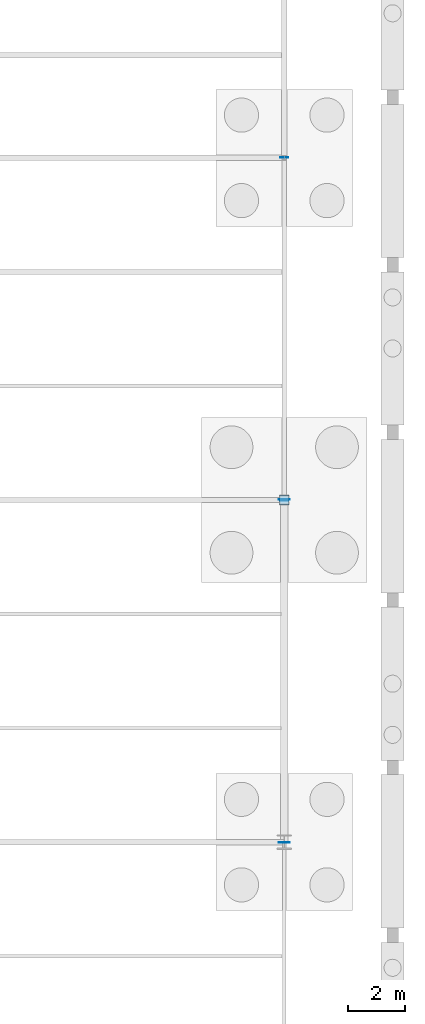
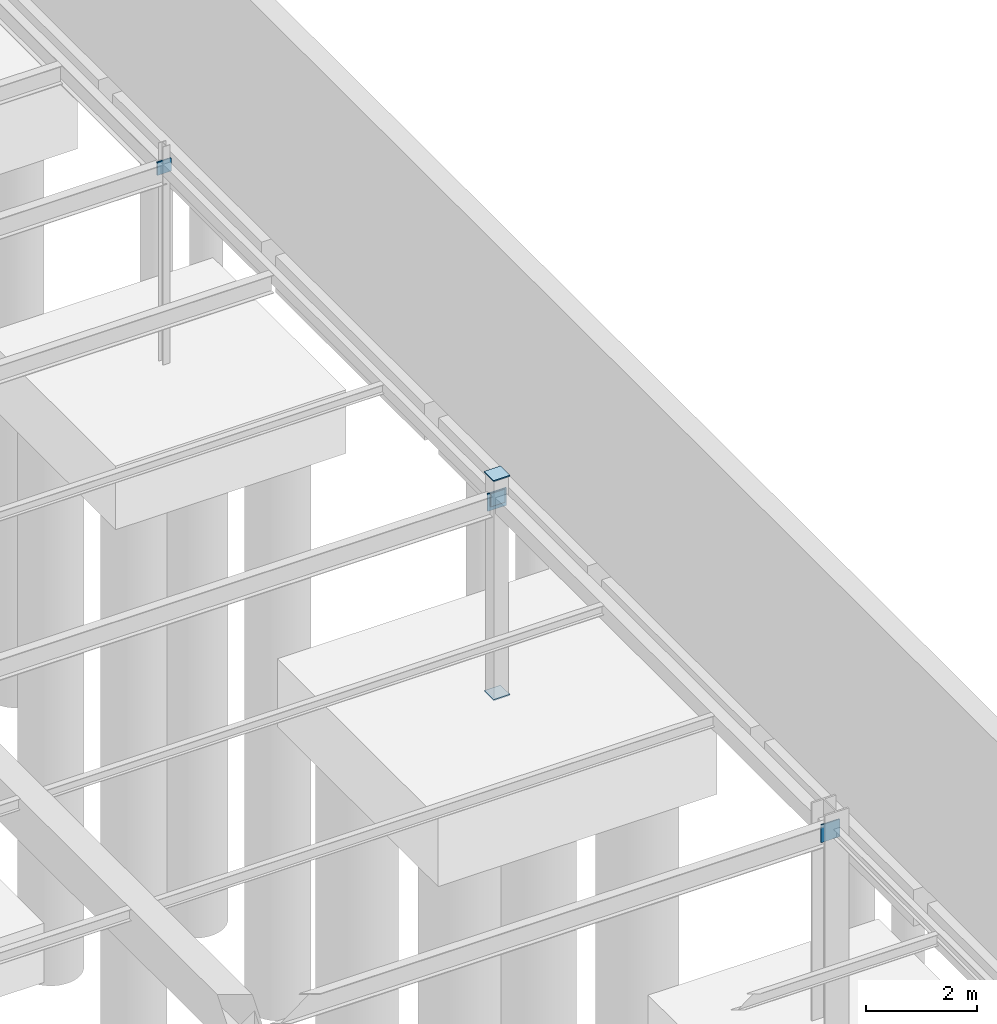
# One storey, part 110 of 136: 6 plates.
"""IFC4 building model written with IfcOpenShell, lengths in metres."""

from ifc_helpers import new_model, si_unit, direction, frame, origin, origin_2d, place, context, subcontext, project, spatial, rectangle, extrude, material, layer, layer_set, type_object, element, save


model = new_model("IFC4")

# Units and contexts
model_context = context("Model", 3, precision=1e-05, world=origin(), true_north=direction((0.0, 1.0)))
body_context = subcontext(model_context, "Body", "Model", "MODEL_VIEW")
ifc_project = project(units=[si_unit("LENGTHUNIT", "METRE"), si_unit("AREAUNIT", "SQUARE_METRE"), si_unit("VOLUMEUNIT", "CUBIC_METRE"), si_unit("PLANEANGLEUNIT", "RADIAN"), si_unit("MASSUNIT", "GRAM", prefix="KILO")], contexts=[model_context])

# Site, building, storey
site_placement = place(None, origin())
site = spatial("IfcSite", under=ifc_project, at=site_placement, CompositionType="ELEMENT")
building_placement = place(site_placement, origin())
building = spatial("IfcBuilding", under=site, at=building_placement, Name="Tarnwether General Hospital", CompositionType="ELEMENT")
storey_placement = place(building_placement, frame((0.0, 0.0, -4.800048828125)))
storey = spatial("IfcBuildingStorey", under=building, at=storey_placement, Name="LG", CompositionType="ELEMENT", Elevation=-4.800048828125)

# Plates
ifc_material = material(Name="Steel Grade 350 (350 MPa)", Category="steel")
ifc_layer = layer(ifc_material, 0.02490234375)
ifc_layer_set = layer_set([ifc_layer], Name="Steel Grade 350 (350 MPa)")
plate_type = type_object("IfcPlateType", Name="PT-GUS2", PredefinedType="USERDEFINED", material=ifc_layer_set)
for number, where, z_axis, x_axis, name in (
    (1, (192.0, 81.60009765625, -0.02490234375), (0.0, 0.0, 1.0), (1.0, 0.0, 0.0), "Hollow Section Welded End Cap Plate 0415"),
    (2, (192.0, 81.60009765625, 4.800048828125), (0.0, 0.0, 1.0), (1.0, 0.0, 0.0), "Hollow Section Welded End Cap Plate 0416"),
):
    element("IfcPlate", number, at=place(storey_placement, frame(where, z_axis=z_axis, x_axis=x_axis)), inside=storey, type_object=plate_type, Name=name, ObjectType="GUSSET", PredefinedType="USERDEFINED", context=body_context, shape_type="SweptSolid", body=[
        extrude(rectangle(XDim=0.340087890625, YDim=0.340087890625, at=origin_2d()), origin(), (0.0, 0.0, 1.0), 0.02490234375),
    ])
for number, where, z_axis, x_axis, name in (
    (3, (192.0, 69.58740234375, 4.05029296875), (0.0, 0.0, 1.0), (0.0, 1.0, 0.0), "Hollow Section Welded End Cap Plate 0851"),
    (4, (192.0, 81.612548828125, 4.05029296875), (0.0, 0.0, 1.0), (0.0, 1.0, 0.0), "Hollow Section Welded End Cap Plate 0852"),
):
    element("IfcPlate", number, at=place(storey_placement, frame(where, z_axis=z_axis, x_axis=x_axis)), inside=storey, type_object=plate_type, Name=name, ObjectType="GUSSET", PredefinedType="USERDEFINED", context=body_context, shape_type="SweptSolid", body=[
        extrude(rectangle(XDim=0.02490234375, YDim=0.389892578125, at=origin_2d()), origin(), (0.0, 0.0, 1.0), 0.389892578125),
    ])
for number, where, z_axis, x_axis, name in (
    (5, (192.0, 81.58740234375, 4.150146484375), (0.0, 0.0, 1.0), (0.0, 1.0, 0.0), "Hollow Section Welded End Cap Plate 0853"),
    (6, (192.0, 93.612548828125, 4.150146484375), (0.0, 0.0, 1.0), (0.0, 1.0, 0.0), "Hollow Section Welded End Cap Plate 0854"),
):
    element("IfcPlate", number, at=place(storey_placement, frame(where, z_axis=z_axis, x_axis=x_axis)), inside=storey, type_object=plate_type, Name=name, ObjectType="GUSSET", PredefinedType="USERDEFINED", context=body_context, shape_type="SweptSolid", body=[
        extrude(rectangle(XDim=0.02490234375, YDim=0.2900390625, at=origin_2d()), origin(), (0.0, 0.0, 1.0), 0.2900390625),
    ])

save(model, "model.ifc")
